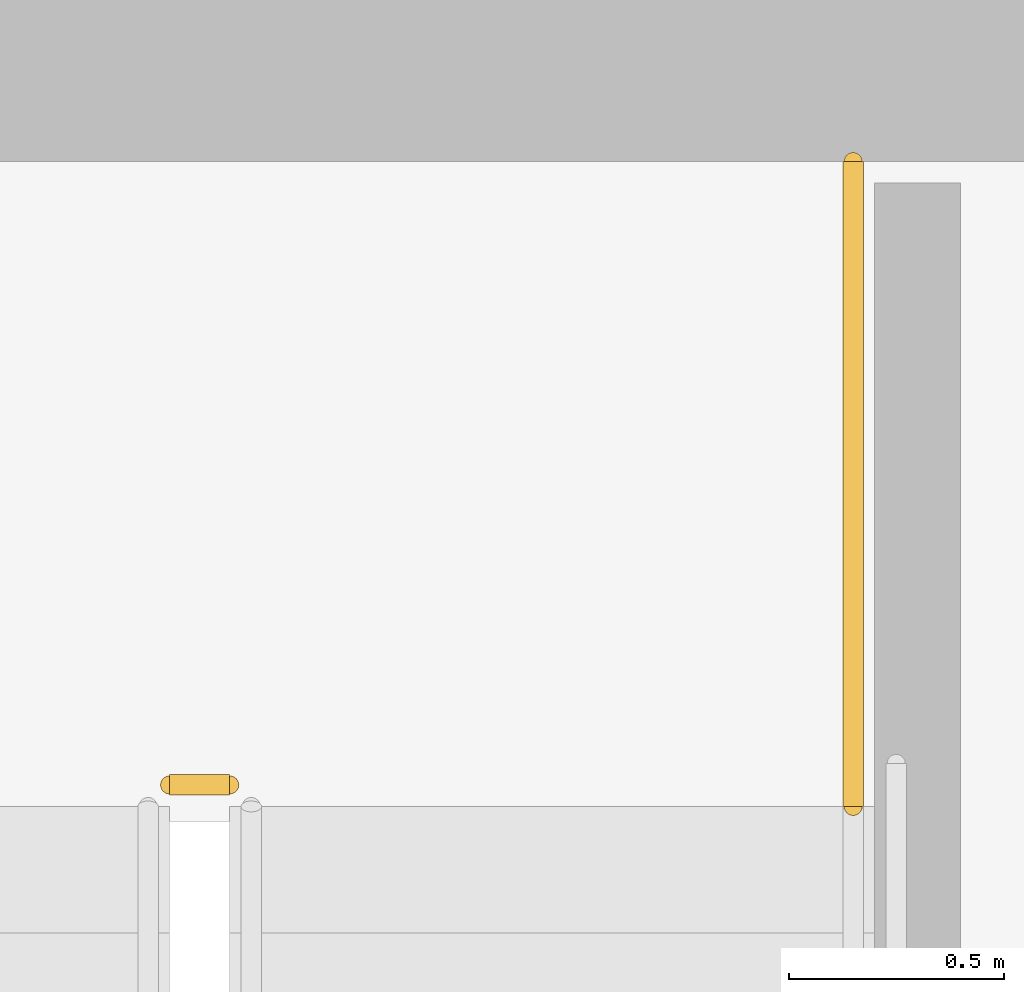
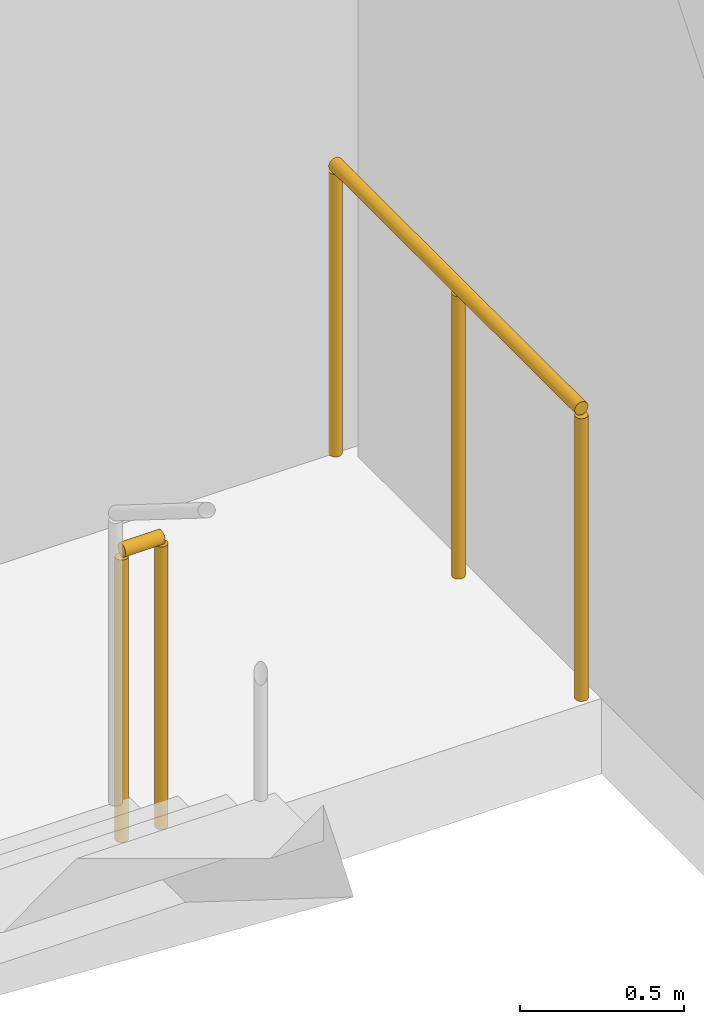
# One storey, part 26 of 26: 2 railings.
"""IFC4 building model written with IfcOpenShell, lengths in metres."""

from ifc_helpers import new_model, si_unit, direction, frame, origin, origin_2d, place, context, subcontext, project, spatial, circle, extrude, material, layer, layer_set, type_object, element, save


model = new_model("IFC4")

# Units and contexts
model_context = context("Model", 3, precision=1e-05, world=origin(), true_north=direction((0.0, 1.0)))
body_context = subcontext(model_context, "Body", "Model", "MODEL_VIEW")
ifc_project = project(units=[si_unit("LENGTHUNIT", "METRE"), si_unit("AREAUNIT", "SQUARE_METRE"), si_unit("VOLUMEUNIT", "CUBIC_METRE"), si_unit("PLANEANGLEUNIT", "RADIAN"), si_unit("MASSUNIT", "GRAM", prefix="KILO")], contexts=[model_context])

# Site, building, storey
site_placement = place(None, origin())
site = spatial("IfcSite", under=ifc_project, at=site_placement, CompositionType="ELEMENT")
building_placement = place(site_placement, origin())
building = spatial("IfcBuilding", under=site, at=building_placement, Name="Ndaravel Arena Tower", CompositionType="ELEMENT")
storey_placement = place(building_placement, frame((0.0, 0.0, 122.199951171875)))
storey = spatial("IfcBuildingStorey", under=building, at=storey_placement, Name="L28", CompositionType="ELEMENT", Elevation=122.199951171875)

# Railings
ifc_material = material(Name="Steel S355", Category="steel")
ifc_layer = layer(ifc_material, 0.06005859375)
ifc_layer_set = layer_set([ifc_layer], Name="Steel S355")
railing_type = type_object("IfcRailingType", Name="RAIL-STAIR-GD1100", PredefinedType="GUARDRAIL", material=ifc_layer_set)
railing_1_placement = place(storey_placement, frame((55.10009765625, 13.300048828125, 0.0)))
element("IfcRailing", 1, at=railing_1_placement, inside=storey, type_object=railing_type, Name="L28 ST-3 stair guard 4", PredefinedType="GUARDRAIL", context=body_context, shape_type="SweptSolid", body=[
    extrude(circle(Radius=0.02392578125, at=origin_2d()), frame((0.0, 0.0, 1.076171875), z_axis=(1.0, 0.0, 0.0), x_axis=(0.0, 1.0, 0.0)), (0.0, 0.0, 1.0), 0.139892578125),
    extrude(circle(Radius=0.02099609375, at=origin_2d()), origin(), (0.0, 0.0, 1.0), 1.052001953125),
    extrude(circle(Radius=0.02099609375, at=origin_2d()), frame((0.139892578125, 0.0, 0.0)), (0.0, 0.0, 1.0), 1.052001953125),
])
railing_2_placement = place(storey_placement, frame((56.68994140625, 14.75, 0.0)))
element("IfcRailing", 2, at=railing_2_placement, inside=storey, type_object=railing_type, Name="L28 ST-3 stair guard 5", PredefinedType="GUARDRAIL", context=body_context, shape_type="SweptSolid", body=[
    extrude(circle(Radius=0.02392578125, at=origin_2d()), frame((0.0, 0.0, 1.076171875), z_axis=(0.0, -1.0, 0.0), x_axis=(1.0, 0.0, 0.0)), (0.0, 0.0, 1.0), 1.5),
    extrude(circle(Radius=0.02099609375, at=origin_2d()), origin(), (0.0, 0.0, 1.0), 1.052001953125),
    extrude(circle(Radius=0.02099609375, at=origin_2d()), frame((0.0, -0.75, 0.0)), (0.0, 0.0, 1.0), 1.052001953125),
    extrude(circle(Radius=0.02099609375, at=origin_2d()), frame((0.0, -1.5, 0.0)), (0.0, 0.0, 1.0), 1.052001953125),
])

save(model, "model.ifc")
